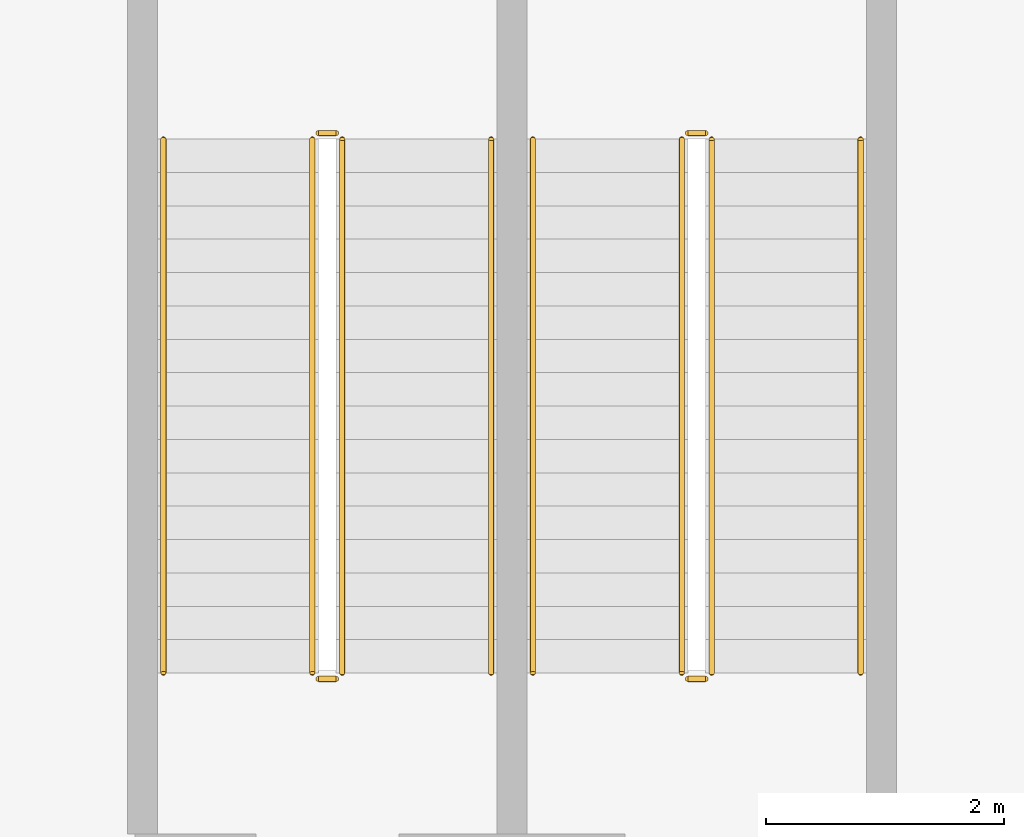
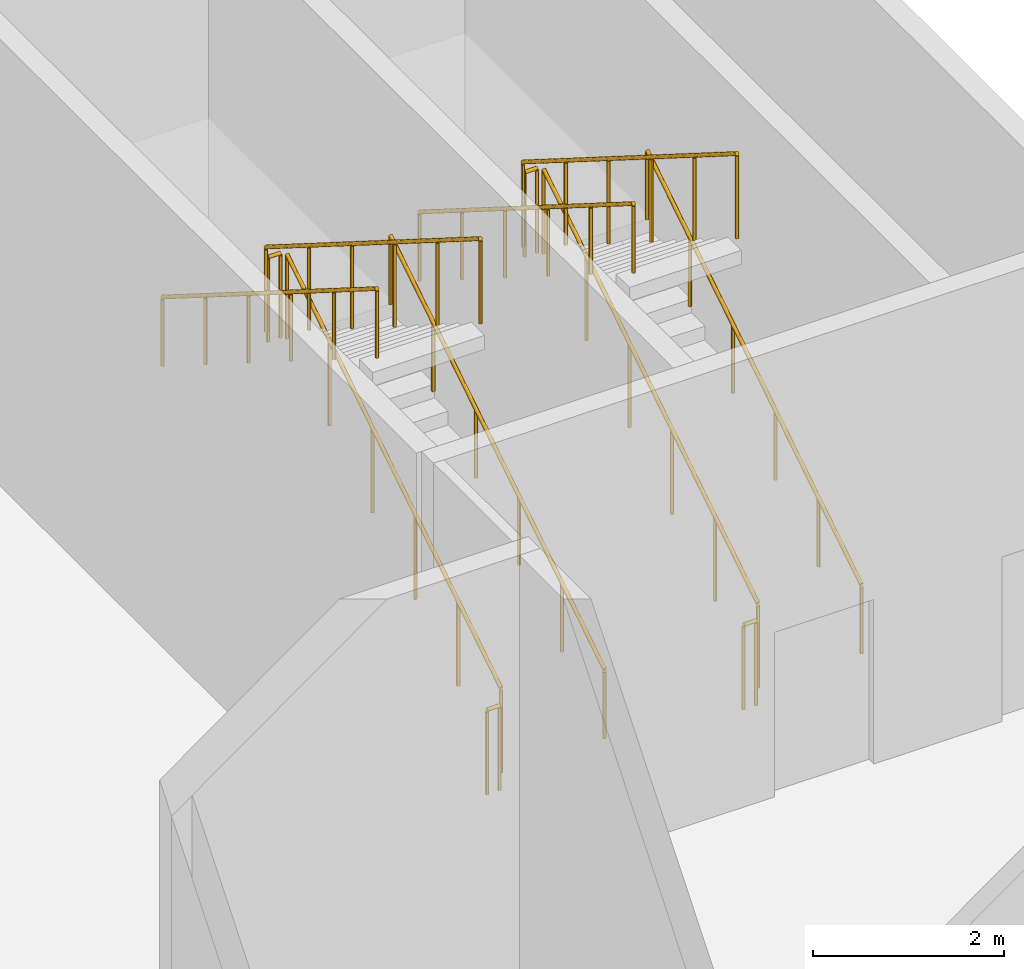
# One storey, part 46 of 47: 12 railings.
"""IFC4 building model written with IfcOpenShell, lengths in metres."""

from ifc_helpers import new_model, si_unit, direction, frame, origin, origin_2d, place, context, subcontext, project, spatial, circle, extrude, material, type_object, element, save


model = new_model("IFC4")

# Units and contexts
model_context = context("Model", 3, precision=1e-05, world=origin(), true_north=direction((0.0, 1.0)))
body_context = subcontext(model_context, "Body", "Model", "MODEL_VIEW")
ifc_project = project(units=[si_unit("LENGTHUNIT", "METRE"), si_unit("AREAUNIT", "SQUARE_METRE"), si_unit("VOLUMEUNIT", "CUBIC_METRE"), si_unit("PLANEANGLEUNIT", "RADIAN"), si_unit("MASSUNIT", "GRAM", prefix="KILO")], contexts=[model_context])

# Site, building, storey
site_placement = place(None, origin())
site = spatial("IfcSite", under=ifc_project, at=site_placement, CompositionType="ELEMENT")
building_placement = place(site_placement, origin())
building = spatial("IfcBuilding", under=site, at=building_placement, Name="Candeia Pilgrim Tower and Theatre", CompositionType="ELEMENT")
storey_placement = place(building_placement, frame((0.0, 0.0, 23.0)))
storey = spatial("IfcBuildingStorey", under=building, at=storey_placement, Name="L03", CompositionType="ELEMENT", Elevation=23.0)

# Railings
ifc_material = material(Name="Steel S355", Category="steel")
railing_type_1 = type_object("IfcRailingType", Name="Guard 1100 steel balustrade", PredefinedType="GUARDRAIL", material=ifc_material)
railing_1_placement = place(storey_placement, frame((236.47509765625, 107.77490234375, 0.176513671875)))
element("IfcRailing", 1, at=railing_1_placement, inside=storey, type_object=railing_type_1, Name="L03 TS3 stair guard 1", PredefinedType="GUARDRAIL", context=body_context, shape_type="SweptSolid", body=[
    extrude(circle(Radius=0.02392578125, at=origin_2d()), frame((0.0, 0.0, 1.076171875), z_axis=(0.0, 0.845997938375, 0.533186166611), x_axis=(-1.0, 0.0, 0.0)), (0.0, 0.0, 1.0), 5.29541015625),
    extrude(circle(Radius=0.02099609375, at=origin_2d()), origin(), (0.0, 0.0, 1.0), 1.052001953125),
    extrude(circle(Radius=0.02099609375, at=origin_2d()), frame((0.0, 0.89599609375, 0.564697265625)), (0.0, 0.0, 1.0), 1.052001953125),
    extrude(circle(Radius=0.02099609375, at=origin_2d()), frame((0.0, 1.7919921875, 1.12939453125)), (0.0, 0.0, 1.0), 1.052001953125),
    extrude(circle(Radius=0.02099609375, at=origin_2d()), frame((0.0, 2.68798828125, 1.694091796875)), (0.0, 0.0, 1.0), 1.052001953125),
    extrude(circle(Radius=0.02099609375, at=origin_2d()), frame((0.0, 3.583984375, 2.2587890625)), (0.0, 0.0, 1.0), 1.052001953125),
    extrude(circle(Radius=0.02099609375, at=origin_2d()), frame((0.0, 4.47998046875, 2.823486328125)), (0.0, 0.0, 1.0), 1.052001953125),
])
railing_2_placement = place(storey_placement, frame((236.425048828125, 112.304931640625, 3.0)))
element("IfcRailing", 2, at=railing_2_placement, inside=storey, type_object=railing_type_1, Name="L03 TS3 stair guard 2", PredefinedType="GUARDRAIL", context=body_context, shape_type="SweptSolid", body=[
    extrude(circle(Radius=0.02392578125, at=origin_2d()), frame((0.0, 0.0, 1.076171875), z_axis=(-1.0, 0.0, 0.0), x_axis=(0.0, -1.0, 0.0)), (0.0, 0.0, 1.0), 0.150146484375),
    extrude(circle(Radius=0.02099609375, at=origin_2d()), origin(), (0.0, 0.0, 1.0), 1.052001953125),
    extrude(circle(Radius=0.02099609375, at=origin_2d()), frame((-0.150146484375, 0.0, 0.0)), (0.0, 0.0, 1.0), 1.052001953125),
])
railing_3_placement = place(storey_placement, frame((236.22509765625, 112.2548828125, 3.176513671875)))
element("IfcRailing", 3, at=railing_3_placement, inside=storey, type_object=railing_type_1, Name="L03 TS3 stair guard 3", PredefinedType="GUARDRAIL", context=body_context, shape_type="SweptSolid", body=[
    extrude(circle(Radius=0.02392578125, at=origin_2d()), frame((0.0, 0.0, 1.076171875), z_axis=(0.0, -0.845997938375, 0.533186166611), x_axis=(1.0, 0.0, 0.0)), (0.0, 0.0, 1.0), 5.29541015625),
    extrude(circle(Radius=0.02099609375, at=origin_2d()), origin(), (0.0, 0.0, 1.0), 1.052001953125),
    extrude(circle(Radius=0.02099609375, at=origin_2d()), frame((0.0, -0.89599609375, 0.564697265625)), (0.0, 0.0, 1.0), 1.052001953125),
    extrude(circle(Radius=0.02099609375, at=origin_2d()), frame((0.0, -1.7919921875, 1.12939453125)), (0.0, 0.0, 1.0), 1.052001953125),
    extrude(circle(Radius=0.02099609375, at=origin_2d()), frame((0.0, -2.68798828125, 1.694091796875)), (0.0, 0.0, 1.0), 1.052001953125),
    extrude(circle(Radius=0.02099609375, at=origin_2d()), frame((0.0, -3.583984375, 2.2587890625)), (0.0, 0.0, 1.0), 1.052001953125),
    extrude(circle(Radius=0.02099609375, at=origin_2d()), frame((0.0, -4.47998046875, 2.823486328125)), (0.0, 0.0, 1.0), 1.052001953125),
])
railing_4_placement = place(storey_placement, frame((236.425048828125, 107.72509765625, 0.0)))
element("IfcRailing", 4, at=railing_4_placement, inside=storey, type_object=railing_type_1, Name="L03 TS3 stair guard 4", PredefinedType="GUARDRAIL", context=body_context, shape_type="SweptSolid", body=[
    extrude(circle(Radius=0.02392578125, at=origin_2d()), frame((0.0, 0.0, 1.076171875), z_axis=(-1.0, 0.0, 0.0), x_axis=(0.0, -1.0, 0.0)), (0.0, 0.0, 1.0), 0.150146484375),
    extrude(circle(Radius=0.02099609375, at=origin_2d()), origin(), (0.0, 0.0, 1.0), 1.052001953125),
    extrude(circle(Radius=0.02099609375, at=origin_2d()), frame((-0.150146484375, 0.0, 0.0)), (0.0, 0.0, 1.0), 1.052001953125),
])
railing_5_placement = place(storey_placement, frame((239.574951171875, 107.77490234375, 0.176513671875)))
element("IfcRailing", 5, at=railing_5_placement, inside=storey, type_object=railing_type_1, Name="L03 TS4 stair guard 1", PredefinedType="GUARDRAIL", context=body_context, shape_type="SweptSolid", body=[
    extrude(circle(Radius=0.02392578125, at=origin_2d()), frame((0.0, 0.0, 1.076171875), z_axis=(0.0, 0.845997938375, 0.533186166611), x_axis=(-1.0, 0.0, 0.0)), (0.0, 0.0, 1.0), 5.29541015625),
    extrude(circle(Radius=0.02099609375, at=origin_2d()), origin(), (0.0, 0.0, 1.0), 1.052001953125),
    extrude(circle(Radius=0.02099609375, at=origin_2d()), frame((0.0, 0.89599609375, 0.564697265625)), (0.0, 0.0, 1.0), 1.052001953125),
    extrude(circle(Radius=0.02099609375, at=origin_2d()), frame((0.0, 1.7919921875, 1.12939453125)), (0.0, 0.0, 1.0), 1.052001953125),
    extrude(circle(Radius=0.02099609375, at=origin_2d()), frame((0.0, 2.68798828125, 1.694091796875)), (0.0, 0.0, 1.0), 1.052001953125),
    extrude(circle(Radius=0.02099609375, at=origin_2d()), frame((0.0, 3.583984375, 2.2587890625)), (0.0, 0.0, 1.0), 1.052001953125),
    extrude(circle(Radius=0.02099609375, at=origin_2d()), frame((0.0, 4.47998046875, 2.823486328125)), (0.0, 0.0, 1.0), 1.052001953125),
])
railing_6_placement = place(storey_placement, frame((239.52490234375, 112.304931640625, 3.0)))
element("IfcRailing", 6, at=railing_6_placement, inside=storey, type_object=railing_type_1, Name="L03 TS4 stair guard 2", PredefinedType="GUARDRAIL", context=body_context, shape_type="SweptSolid", body=[
    extrude(circle(Radius=0.02392578125, at=origin_2d()), frame((0.0, 0.0, 1.076171875), z_axis=(-1.0, 0.0, 0.0), x_axis=(0.0, -1.0, 0.0)), (0.0, 0.0, 1.0), 0.14990234375),
    extrude(circle(Radius=0.02099609375, at=origin_2d()), origin(), (0.0, 0.0, 1.0), 1.052001953125),
    extrude(circle(Radius=0.02099609375, at=origin_2d()), frame((-0.14990234375, 0.0, 0.0)), (0.0, 0.0, 1.0), 1.052001953125),
])
railing_7_placement = place(storey_placement, frame((239.324951171875, 112.2548828125, 3.176513671875)))
element("IfcRailing", 7, at=railing_7_placement, inside=storey, type_object=railing_type_1, Name="L03 TS4 stair guard 3", PredefinedType="GUARDRAIL", context=body_context, shape_type="SweptSolid", body=[
    extrude(circle(Radius=0.02392578125, at=origin_2d()), frame((0.0, 0.0, 1.076171875), z_axis=(0.0, -0.845997938375, 0.533186166611), x_axis=(1.0, 0.0, 0.0)), (0.0, 0.0, 1.0), 5.29541015625),
    extrude(circle(Radius=0.02099609375, at=origin_2d()), origin(), (0.0, 0.0, 1.0), 1.052001953125),
    extrude(circle(Radius=0.02099609375, at=origin_2d()), frame((0.0, -0.89599609375, 0.564697265625)), (0.0, 0.0, 1.0), 1.052001953125),
    extrude(circle(Radius=0.02099609375, at=origin_2d()), frame((0.0, -1.7919921875, 1.12939453125)), (0.0, 0.0, 1.0), 1.052001953125),
    extrude(circle(Radius=0.02099609375, at=origin_2d()), frame((0.0, -2.68798828125, 1.694091796875)), (0.0, 0.0, 1.0), 1.052001953125),
    extrude(circle(Radius=0.02099609375, at=origin_2d()), frame((0.0, -3.583984375, 2.2587890625)), (0.0, 0.0, 1.0), 1.052001953125),
    extrude(circle(Radius=0.02099609375, at=origin_2d()), frame((0.0, -4.47998046875, 2.823486328125)), (0.0, 0.0, 1.0), 1.052001953125),
])
railing_8_placement = place(storey_placement, frame((239.52490234375, 107.72509765625, 0.0)))
element("IfcRailing", 8, at=railing_8_placement, inside=storey, type_object=railing_type_1, Name="L03 TS4 stair guard 4", PredefinedType="GUARDRAIL", context=body_context, shape_type="SweptSolid", body=[
    extrude(circle(Radius=0.02392578125, at=origin_2d()), frame((0.0, 0.0, 1.076171875), z_axis=(-1.0, 0.0, 0.0), x_axis=(0.0, -1.0, 0.0)), (0.0, 0.0, 1.0), 0.14990234375),
    extrude(circle(Radius=0.02099609375, at=origin_2d()), origin(), (0.0, 0.0, 1.0), 1.052001953125),
    extrude(circle(Radius=0.02099609375, at=origin_2d()), frame((-0.14990234375, 0.0, 0.0)), (0.0, 0.0, 1.0), 1.052001953125),
])
railing_type_2 = type_object("IfcRailingType", Name="Handrail 900 steel", PredefinedType="HANDRAIL", material=ifc_material)
railing_9_placement = place(storey_placement, frame((237.72509765625, 107.77490234375, 0.176513671875)))
element("IfcRailing", 9, at=railing_9_placement, inside=storey, type_object=railing_type_2, Name="L03 TS3 stair handrail 1", PredefinedType="HANDRAIL", context=body_context, shape_type="SweptSolid", body=[
    extrude(circle(Radius=0.02392578125, at=origin_2d()), frame((0.0, 0.0, 0.8759765625), z_axis=(0.0, 0.845997938375, 0.533186166611), x_axis=(-1.0, 0.0, 0.0)), (0.0, 0.0, 1.0), 5.29541015625),
    extrude(circle(Radius=0.02099609375, at=origin_2d()), origin(), (0.0, 0.0, 1.0), 0.851806640625),
    extrude(circle(Radius=0.02099609375, at=origin_2d()), frame((0.0, 0.89599609375, 0.564697265625)), (0.0, 0.0, 1.0), 0.851806640625),
    extrude(circle(Radius=0.02099609375, at=origin_2d()), frame((0.0, 1.7919921875, 1.12939453125)), (0.0, 0.0, 1.0), 0.851806640625),
    extrude(circle(Radius=0.02099609375, at=origin_2d()), frame((0.0, 2.68798828125, 1.694091796875)), (0.0, 0.0, 1.0), 0.851806640625),
    extrude(circle(Radius=0.02099609375, at=origin_2d()), frame((0.0, 3.583984375, 2.2587890625)), (0.0, 0.0, 1.0), 0.851806640625),
    extrude(circle(Radius=0.02099609375, at=origin_2d()), frame((0.0, 4.47998046875, 2.823486328125)), (0.0, 0.0, 1.0), 0.851806640625),
])
railing_10_placement = place(storey_placement, frame((234.97509765625, 112.2548828125, 3.176513671875)))
element("IfcRailing", 10, at=railing_10_placement, inside=storey, type_object=railing_type_2, Name="L03 TS3 stair handrail 2", PredefinedType="HANDRAIL", context=body_context, shape_type="SweptSolid", body=[
    extrude(circle(Radius=0.02392578125, at=origin_2d()), frame((0.0, 0.0, 0.8759765625), z_axis=(0.0, -0.845997938375, 0.533186166611), x_axis=(1.0, 0.0, 0.0)), (0.0, 0.0, 1.0), 5.29541015625),
    extrude(circle(Radius=0.02099609375, at=origin_2d()), origin(), (0.0, 0.0, 1.0), 0.851806640625),
    extrude(circle(Radius=0.02099609375, at=origin_2d()), frame((0.0, -0.89599609375, 0.564697265625)), (0.0, 0.0, 1.0), 0.851806640625),
    extrude(circle(Radius=0.02099609375, at=origin_2d()), frame((0.0, -1.7919921875, 1.12939453125)), (0.0, 0.0, 1.0), 0.851806640625),
    extrude(circle(Radius=0.02099609375, at=origin_2d()), frame((0.0, -2.68798828125, 1.694091796875)), (0.0, 0.0, 1.0), 0.851806640625),
    extrude(circle(Radius=0.02099609375, at=origin_2d()), frame((0.0, -3.583984375, 2.2587890625)), (0.0, 0.0, 1.0), 0.851806640625),
    extrude(circle(Radius=0.02099609375, at=origin_2d()), frame((0.0, -4.47998046875, 2.823486328125)), (0.0, 0.0, 1.0), 0.851806640625),
])
railing_11_placement = place(storey_placement, frame((240.824951171875, 107.77490234375, 0.176513671875)))
element("IfcRailing", 11, at=railing_11_placement, inside=storey, type_object=railing_type_2, Name="L03 TS4 stair handrail 1", PredefinedType="HANDRAIL", context=body_context, shape_type="SweptSolid", body=[
    extrude(circle(Radius=0.02392578125, at=origin_2d()), frame((0.0, 0.0, 0.8759765625), z_axis=(0.0, 0.845997938375, 0.533186166611), x_axis=(-1.0, 0.0, 0.0)), (0.0, 0.0, 1.0), 5.29541015625),
    extrude(circle(Radius=0.02099609375, at=origin_2d()), origin(), (0.0, 0.0, 1.0), 0.851806640625),
    extrude(circle(Radius=0.02099609375, at=origin_2d()), frame((0.0, 0.89599609375, 0.564697265625)), (0.0, 0.0, 1.0), 0.851806640625),
    extrude(circle(Radius=0.02099609375, at=origin_2d()), frame((0.0, 1.7919921875, 1.12939453125)), (0.0, 0.0, 1.0), 0.851806640625),
    extrude(circle(Radius=0.02099609375, at=origin_2d()), frame((0.0, 2.68798828125, 1.694091796875)), (0.0, 0.0, 1.0), 0.851806640625),
    extrude(circle(Radius=0.02099609375, at=origin_2d()), frame((0.0, 3.583984375, 2.2587890625)), (0.0, 0.0, 1.0), 0.851806640625),
    extrude(circle(Radius=0.02099609375, at=origin_2d()), frame((0.0, 4.47998046875, 2.823486328125)), (0.0, 0.0, 1.0), 0.851806640625),
])
railing_12_placement = place(storey_placement, frame((238.074951171875, 112.2548828125, 3.176513671875)))
element("IfcRailing", 12, at=railing_12_placement, inside=storey, type_object=railing_type_2, Name="L03 TS4 stair handrail 2", PredefinedType="HANDRAIL", context=body_context, shape_type="SweptSolid", body=[
    extrude(circle(Radius=0.02392578125, at=origin_2d()), frame((0.0, 0.0, 0.8759765625), z_axis=(0.0, -0.845997938375, 0.533186166611), x_axis=(1.0, 0.0, 0.0)), (0.0, 0.0, 1.0), 5.29541015625),
    extrude(circle(Radius=0.02099609375, at=origin_2d()), origin(), (0.0, 0.0, 1.0), 0.851806640625),
    extrude(circle(Radius=0.02099609375, at=origin_2d()), frame((0.0, -0.89599609375, 0.564697265625)), (0.0, 0.0, 1.0), 0.851806640625),
    extrude(circle(Radius=0.02099609375, at=origin_2d()), frame((0.0, -1.7919921875, 1.12939453125)), (0.0, 0.0, 1.0), 0.851806640625),
    extrude(circle(Radius=0.02099609375, at=origin_2d()), frame((0.0, -2.68798828125, 1.694091796875)), (0.0, 0.0, 1.0), 0.851806640625),
    extrude(circle(Radius=0.02099609375, at=origin_2d()), frame((0.0, -3.583984375, 2.2587890625)), (0.0, 0.0, 1.0), 0.851806640625),
    extrude(circle(Radius=0.02099609375, at=origin_2d()), frame((0.0, -4.47998046875, 2.823486328125)), (0.0, 0.0, 1.0), 0.851806640625),
])

save(model, "model.ifc")
